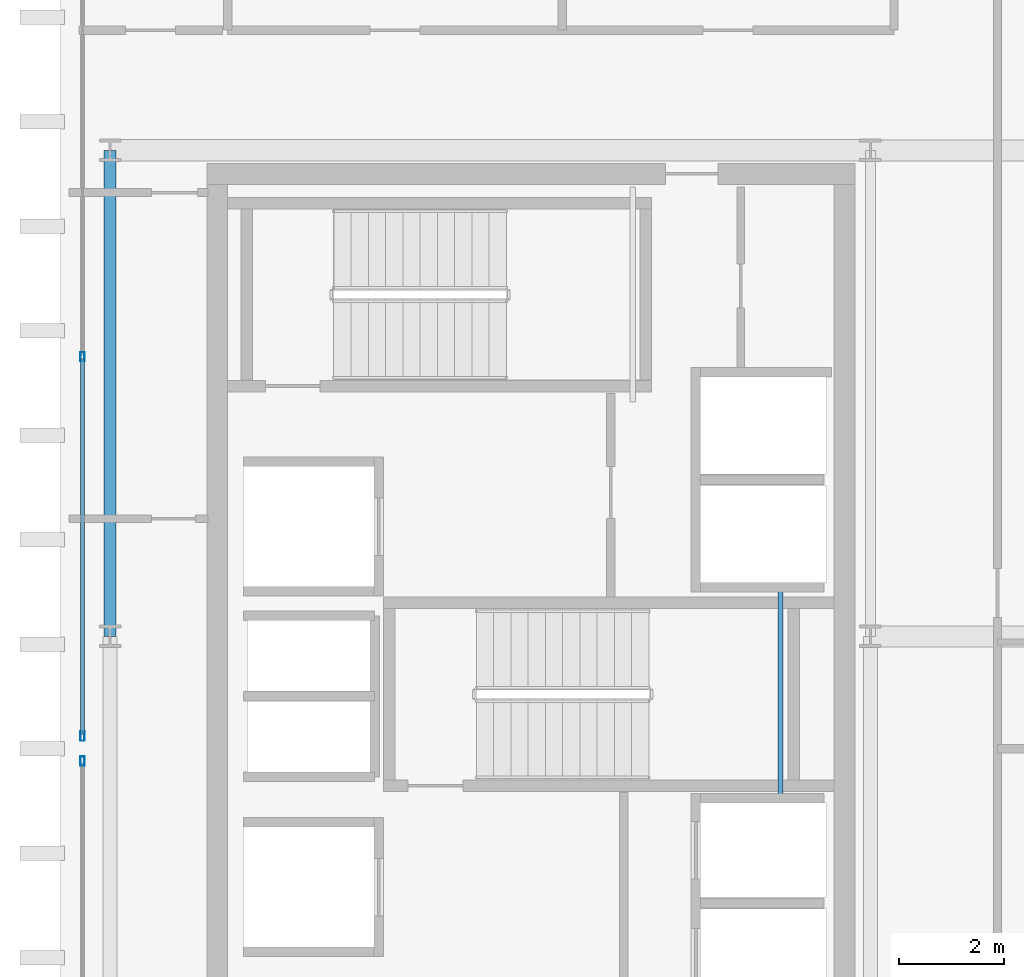
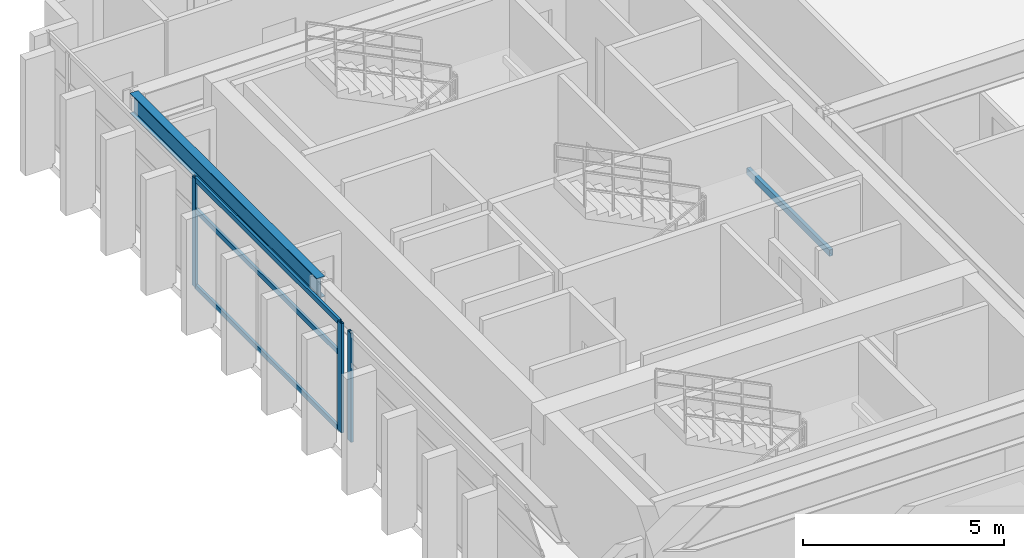
# One storey, part 6 of 15: 6 members, 2 beams, 2 elements without a shape of their own.
"""IFC4 building model written with IfcOpenShell, lengths in metres."""

from ifc_helpers import new_model, si_unit, direction, frame, origin, origin_2d, place, context, subcontext, project, spatial, hollow_rectangle, i_section, extrude, source, transform, mapped, material, layer, layer_set, material_profile, profile_set, type_object, element, aggregate, save


model = new_model("IFC4")

# Units and contexts
model_context = context("Model", 3, precision=1e-05, world=origin(), true_north=direction((0.0, 1.0)))
body_context = subcontext(model_context, "Body", "Model", "MODEL_VIEW")
ifc_project = project(units=[si_unit("LENGTHUNIT", "METRE"), si_unit("AREAUNIT", "SQUARE_METRE"), si_unit("VOLUMEUNIT", "CUBIC_METRE"), si_unit("PLANEANGLEUNIT", "RADIAN"), si_unit("MASSUNIT", "GRAM", prefix="KILO")], contexts=[model_context])

# Site, building, storey
site_placement = place(None, origin())
site = spatial("IfcSite", under=ifc_project, at=site_placement, CompositionType="ELEMENT")
building_placement = place(site_placement, origin())
building = spatial("IfcBuilding", under=site, at=building_placement, Name="Ocotamira Hotel", CompositionType="ELEMENT")
storey_placement = place(building_placement, frame((0.0, 0.0, 297.60009765625)))
storey = spatial("IfcBuildingStorey", under=building, at=storey_placement, Name="L76", CompositionType="ELEMENT", Elevation=297.60009765625)

# Beams
ifc_material_1 = material(Name="Steel ASTM A500 Grade C", Category="steel")
ifc_material_profile_1 = material_profile(ifc_material_1, hollow_rectangle(XDim=0.10009765625, YDim=0.199951171875, WallThickness=0.008056640625, at=origin_2d()), Name="HSS200X100X8")
ifc_profile_set_1 = profile_set([ifc_material_profile_1], Name="Steel ASTM A500 Grade C")
beam_type_1 = type_object("IfcBeamType", Name="BM-STLDG-HSS200", PredefinedType="BEAM", material=ifc_profile_set_1)
shared_shape_1 = source(origin(), body_context, "Body", "SweptSolid", [
    extrude(hollow_rectangle(XDim=0.10009765625, YDim=0.199951171875, WallThickness=0.008056640625, at=origin_2d()), origin(), (0.0, 0.0, 1.0), 4.1201171875),
])
beam_1_placement = place(storey_placement, frame((21.780029296875, 24.97998046875, 1.5), z_axis=(0.0, 1.0, 0.0), x_axis=(-1.0, 0.0, 0.0)))
element("IfcBeam", 1, at=beam_1_placement, inside=storey, type_object=beam_type_1, Name="L76 Stair ST-3 Landing Bearer 1", PredefinedType="BEAM", context=body_context, shape_type="MappedRepresentation", body=[
    mapped(shared_shape_1, transform((0.0, 0.0, 0.0), scale=1.0)),
])
ifc_material_2 = material(Name="Steel ASTM A992 Grade 50", Category="steel")
ifc_material_profile_2 = material_profile(ifc_material_2, i_section(OverallWidth=0.22998046875, OverallDepth=0.616943359375, WebThickness=0.01318359375, FlangeThickness=0.022216796875, FilletRadius=0.012939453125, at=origin_2d()), Name="W24X94")
ifc_profile_set_2 = profile_set([ifc_material_profile_2], Name="Steel ASTM A992 Grade 50")
beam_type_2 = type_object("IfcBeamType", Name="BM-PRIM-W24X94", PredefinedType="BEAM", material=ifc_profile_set_2)
shared_shape_2 = source(origin(), body_context, "Body", "SweptSolid", [
    extrude(i_section(OverallWidth=0.22998046875, OverallDepth=0.616943359375, WebThickness=0.01318359375, FlangeThickness=0.022216796875, FilletRadius=0.012939453125, at=origin_2d()), origin(), (0.0, 0.0, 1.0), 9.300048828125),
])
beam_2_placement = place(storey_placement, frame((8.949951171875, 28.14990234375, 3.011474609375), z_axis=(0.0, 1.0, 0.0), x_axis=(-1.0, 0.0, 0.0)))
element("IfcBeam", 2, at=beam_2_placement, inside=storey, type_object=beam_type_2, Name="L76 Beam X8.95 Y28.15-37.45", PredefinedType="BEAM", context=body_context, shape_type="MappedRepresentation", body=[
    mapped(shared_shape_2, transform((0.0, 0.0, 0.0), scale=1.0)),
])

# Curtain wall, members
ifc_material_3 = material(Name="Anodised pale-metal aluminium and solar glass", Category="aluminium")
ifc_layer = layer(ifc_material_3, 0.2099609375)
ifc_layer_set = layer_set([ifc_layer], Name="Anodised pale-metal aluminium and solar glass")
curtain_wall_type = type_object("IfcCurtainWallType", Name="CW-SYS7-PEAK", PredefinedType="NOTDEFINED", material=ifc_layer_set)
curtain_wall_1_placement = place(storey_placement, origin())
curtain_wall_1 = element("IfcCurtainWall", 3, at=curtain_wall_1_placement, inside=storey, type_object=curtain_wall_type, Name="L76 Curtain Wall CW-7 CW-L76-W2", PredefinedType="NOTDEFINED")
ifc_material_4 = material(Name="Anodised pale-metal aluminium 6063-T6", Category="aluminium")
ifc_material_profile_3 = material_profile(ifc_material_4, hollow_rectangle(XDim=0.074951171875, YDim=0.14990234375, WallThickness=0.006103515625, at=origin_2d()), Name="HSS150X75X6")
ifc_profile_set_3 = profile_set([ifc_material_profile_3], Name="Anodised pale-metal aluminium 6063-T6")
member_type_1 = type_object("IfcMemberType", Name="CWT-150X75", PredefinedType="USERDEFINED", material=ifc_profile_set_3)
shared_shape_3 = source(origin(), body_context, "Body", "SweptSolid", [
    extrude(hollow_rectangle(XDim=0.074951171875, YDim=0.14990234375, WallThickness=0.006103515625, at=origin_2d()), origin(), (0.0, 0.0, 1.0), 7.179931640625),
])
member_1_placement = place(storey_placement, frame((8.419921875, 26.280029296875, 0.037353515625), z_axis=(0.0, 1.0, 0.0), x_axis=(-1.0, 0.0, 0.0)))
member_1 = element("IfcMember", 4, at=member_1_placement, type_object=member_type_1, Name="CW-7 transom 1.1", ObjectType="TRANSOM", PredefinedType="USERDEFINED", context=body_context, shape_type="MappedRepresentation", body=[
    mapped(shared_shape_3, transform((0.0, 0.0, 0.0), scale=1.0)),
])
member_2_placement = place(storey_placement, frame((8.419921875, 26.280029296875, 2.349853515625), z_axis=(0.0, 1.0, 0.0), x_axis=(-1.0, 0.0, 0.0)))
member_2 = element("IfcMember", 5, at=member_2_placement, type_object=member_type_1, Name="CW-7 transom 1.2", ObjectType="TRANSOM", PredefinedType="USERDEFINED", context=body_context, shape_type="MappedRepresentation", body=[
    mapped(shared_shape_3, transform((0.0, 0.0, 0.0), scale=1.0)),
])
member_3_placement = place(storey_placement, frame((8.419921875, 26.280029296875, 3.282470703125), z_axis=(0.0, 1.0, 0.0), x_axis=(-1.0, 0.0, 0.0)))
member_3 = element("IfcMember", 6, at=member_3_placement, type_object=member_type_1, Name="CW-7 transom 1.3", ObjectType="TRANSOM", PredefinedType="USERDEFINED", context=body_context, shape_type="MappedRepresentation", body=[
    mapped(shared_shape_3, transform((0.0, 0.0, 0.0), scale=1.0)),
])

# Curtain wall, member
curtain_wall_2_placement = place(storey_placement, origin())
curtain_wall_2 = element("IfcCurtainWall", 7, at=curtain_wall_2_placement, inside=storey, type_object=curtain_wall_type, Name="L76 Curtain Wall CW-7 CW-L76-W1", PredefinedType="NOTDEFINED")
ifc_material_profile_4 = material_profile(ifc_material_4, hollow_rectangle(XDim=0.080078125, YDim=0.179931640625, WallThickness=0.006103515625, at=origin_2d()), Name="HSS180X80X6")
ifc_profile_set_4 = profile_set([ifc_material_profile_4], Name="Anodised pale-metal aluminium 6063-T6")
member_type_2 = type_object("IfcMemberType", Name="CWM-180X75", PredefinedType="MULLION", material=ifc_profile_set_4)
shared_shape_4 = source(origin(), body_context, "Body", "SweptSolid", [
    extrude(hollow_rectangle(XDim=0.080078125, YDim=0.179931640625, WallThickness=0.006103515625, at=origin_2d()), origin(), (0.0, 0.0, 1.0), 3.31982421875),
])
member_4_placement = place(storey_placement, frame((8.419921875, 25.760009765625, 0.0), z_axis=(0.0, 0.0, 1.0), x_axis=(-1.0, 0.0, 0.0)))
member_4 = element("IfcMember", 8, at=member_4_placement, type_object=member_type_2, Name="CW-7 mullion 3", PredefinedType="MULLION", context=body_context, shape_type="MappedRepresentation", body=[
    mapped(shared_shape_4, transform((0.0, 0.0, 0.0), scale=1.0)),
])
aggregate(curtain_wall_2, [member_4])

# Member
member_5_placement = place(storey_placement, frame((8.419921875, 26.239990234375, 0.0), z_axis=(0.0, 0.0, 1.0), x_axis=(-1.0, 0.0, 0.0)))
member_5 = element("IfcMember", 9, at=member_5_placement, type_object=member_type_2, Name="CW-7 mullion 1", PredefinedType="MULLION", context=body_context, shape_type="MappedRepresentation", body=[
    mapped(shared_shape_4, transform((0.0, 0.0, 0.0), scale=1.0)),
])

member_6_placement = place(storey_placement, frame((8.419921875, 33.5, 0.0), z_axis=(0.0, 0.0, 1.0), x_axis=(-1.0, 0.0, 0.0)))
member_6 = element("IfcMember", 10, at=member_6_placement, type_object=member_type_2, Name="CW-7 mullion 2", PredefinedType="MULLION", context=body_context, shape_type="MappedRepresentation", body=[
    mapped(shared_shape_4, transform((0.0, 0.0, 0.0), scale=1.0)),
])

aggregate(curtain_wall_1, [member_5, member_6, member_1, member_2, member_3])

save(model, "model.ifc")
